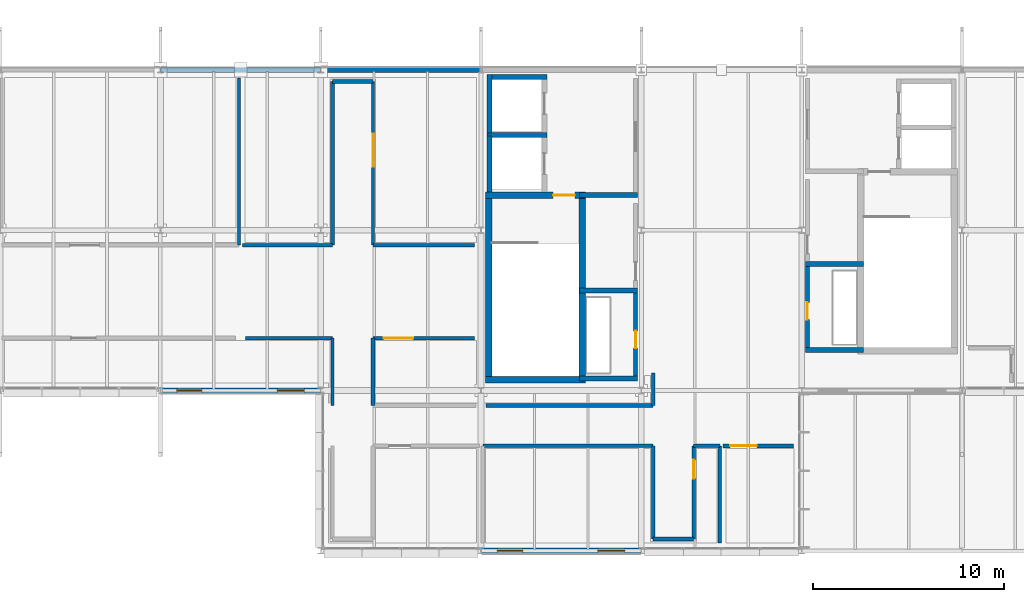
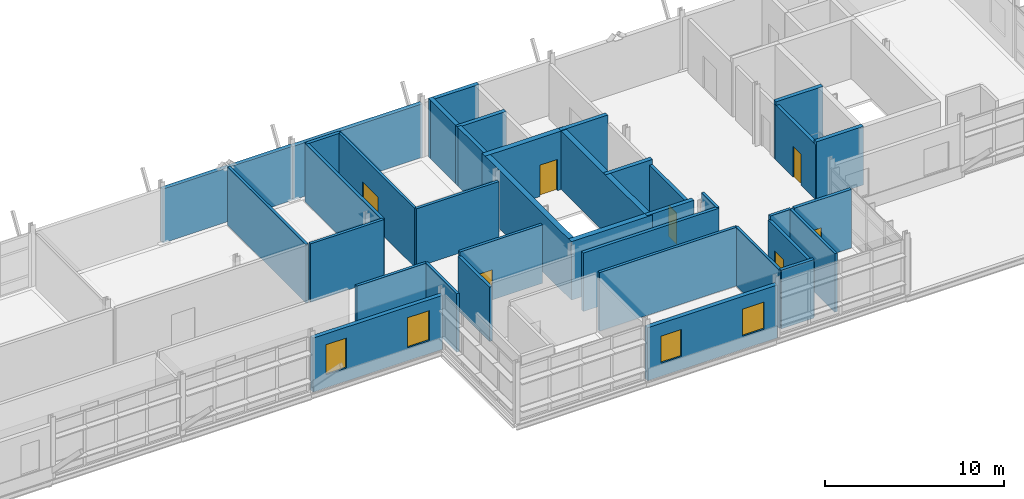
# One storey, part 31 of 35: 38 walls, 7 doors, 4 windows, 11 openings.
"""IFC4 building model written with IfcOpenShell, lengths in metres."""

from ifc_helpers import new_model, si_unit, direction, frame, frame_2d, origin, place, context, subcontext, project, spatial, rectangle, extrude, material, layer, layer_set, type_object, element, fill, save


model = new_model("IFC4")

# Units and contexts
model_context = context("Model", 3, precision=1e-05, world=origin(), true_north=direction((0.0, 1.0)))
body_context = subcontext(model_context, "Body", "Model", "MODEL_VIEW")
ifc_project = project(units=[si_unit("LENGTHUNIT", "METRE"), si_unit("AREAUNIT", "SQUARE_METRE"), si_unit("VOLUMEUNIT", "CUBIC_METRE"), si_unit("PLANEANGLEUNIT", "RADIAN"), si_unit("MASSUNIT", "GRAM", prefix="KILO")], contexts=[model_context])

# Site, building, storey
site_placement = place(None, origin())
site = spatial("IfcSite", under=ifc_project, at=site_placement, CompositionType="ELEMENT")
building_placement = place(site_placement, origin())
building = spatial("IfcBuilding", under=site, at=building_placement, Name="Mersafa Astral City Hall", CompositionType="ELEMENT")
storey_placement = place(building_placement, frame((0.0, 0.0, 30.14990234375)))
storey = spatial("IfcBuildingStorey", under=building, at=storey_placement, Name="L07", CompositionType="ELEMENT", Elevation=30.14990234375)

# Walls
ifc_material_1 = material(Name="Precast concrete C40/50 insulated terracotta spandrel", Category="masonry")
ifc_layer_1 = layer(ifc_material_1, 0.25, Name="Precast concrete C40/50 insulated terracotta spandrel")
ifc_layer_set_1 = layer_set([ifc_layer_1], Name="Precast concrete C40/50 insulated terracotta spandrel — ENV-WAL-EXT-250")
wall_type_1 = type_object("IfcWallType", Name="ENV-WAL-EXT-250", PredefinedType="STANDARD", material=ifc_layer_set_1)
wall_1_placement = place(storey_placement, frame((142.7919921875, 126.0, 0.0), z_axis=(0.0, 0.0, 1.0), x_axis=(-1.0, 0.0, 0.0)))
element("IfcWall", 1, at=wall_1_placement, inside=storey, type_object=wall_type_1, Name="L07 Limestone-clad exterior wall 394", PredefinedType="STANDARD", context=body_context, shape_type="SweptSolid", body=[
    extrude(rectangle(XDim=8.384033203125, YDim=0.25, at=frame_2d((4.19189453125, 0.0))), origin(), (0.0, 0.0, 1.0), 3.692138671875),
])
ifc_material_2 = material(Name="Precast concrete C40/50 insulated limestone wall", Category="masonry")
ifc_layer_2 = layer(ifc_material_2, 0.264892578125, Name="Precast concrete C40/50 insulated limestone wall")
ifc_layer_set_2 = layer_set([ifc_layer_2], Name="Precast concrete C40/50 insulated limestone wall — ENV-WAL-EXT-265")
wall_type_2 = type_object("IfcWallType", Name="ENV-WAL-EXT-265", PredefinedType="STANDARD", material=ifc_layer_set_2)
wall_2_placement = place(storey_placement, frame((151.19189453125, 126.0, 0.0), z_axis=(0.0, 0.0, 1.0), x_axis=(-1.0, 0.0, 0.0)))
element("IfcWall", 2, at=wall_2_placement, inside=storey, type_object=wall_type_2, Name="L07 Limestone-clad exterior wall 393", PredefinedType="STANDARD", context=body_context, shape_type="SweptSolid", body=[
    extrude(rectangle(XDim=8.3837890625, YDim=0.264892578125, at=frame_2d((4.19189453125, 0.0))), origin(), (0.0, 0.0, 1.0), 3.662109375),
])

# Wall, openings, windows
wall_3_placement = place(storey_placement, frame((134.407958984375, 109.199951171875, 0.0), z_axis=(0.0, 0.0, 1.0), x_axis=(1.0, 0.0, 0.0)))
wall_3 = element("IfcWall", 3, at=wall_3_placement, inside=storey, type_object=wall_type_2, Name="L07 Limestone-clad exterior wall 399", PredefinedType="STANDARD", context=body_context, shape_type="SweptSolid", body=[
    extrude(rectangle(XDim=8.384033203125, YDim=0.264892578125, at=frame_2d((4.19189453125, 0.0))), origin(), (0.0, 0.0, 1.0), 3.692138671875),
])
opening_1_placement = place(wall_3_placement, frame((0.85009765625, 0.0, 0.89990234375)))
opening_1 = element("IfcOpeningElement", 4, at=opening_1_placement, cuts=wall_3, Name="Opening W-54", PredefinedType="OPENING", context=body_context, shape_type="SweptSolid", body=[
    extrude(rectangle(XDim=1.320068359375, YDim=2.050048828125, at=frame_2d((0.66015625, 1.02490234375))), frame((0.0, 0.142333984375, 0.0), z_axis=(0.0, -1.0, 0.0), x_axis=(1.0, 0.0, 0.0)), (0.0, 0.0, 1.0), 0.284912109375),
])
opening_2_placement = place(wall_3_placement, frame((6.114013671875, 0.0, 0.89990234375)))
opening_2 = element("IfcOpeningElement", 5, at=opening_2_placement, cuts=wall_3, Name="Opening W-55", PredefinedType="OPENING", context=body_context, shape_type="SweptSolid", body=[
    extrude(rectangle(XDim=1.419921875, YDim=2.050048828125, at=frame_2d((0.7099609375, 1.02490234375))), frame((0.0, 0.142333984375, 0.0), z_axis=(0.0, -1.0, 0.0), x_axis=(1.0, 0.0, 0.0)), (0.0, 0.0, 1.0), 0.284912109375),
])
ifc_material_3 = material(Name="Solar control low-e double glazing in bronze frame", Category="glass")
window_type_1 = type_object("IfcWindowType", Name="ENV-WIN-W-54", PartitioningType="SINGLE_PANEL", PredefinedType="WINDOW", material=ifc_material_3)
window_1_placement = place(opening_1_placement, origin())
window_1 = element("IfcWindow", 6, at=window_1_placement, inside=storey, type_object=window_type_1, Name="L07 Solar punched window 399-L", OverallHeight=2.050048828125, OverallWidth=1.320068359375, PartitioningType="SINGLE_PANEL", PredefinedType="WINDOW", context=body_context, shape_type="SweptSolid", body=[
    extrude(rectangle(XDim=1.320068359375, YDim=2.050048828125, at=frame_2d((0.66015625, 1.02490234375))), frame((0.0, 0.030029296875, 0.0), z_axis=(0.0, -1.0, 0.0), x_axis=(1.0, 0.0, 0.0)), (0.0, 0.0, 1.0), 0.06005859375),
])
fill(opening_1, window_1)
window_type_2 = type_object("IfcWindowType", Name="ENV-WIN-W-55", PartitioningType="SINGLE_PANEL", PredefinedType="WINDOW", material=ifc_material_3)
window_2_placement = place(opening_2_placement, origin())
window_2 = element("IfcWindow", 7, at=window_2_placement, inside=storey, type_object=window_type_2, Name="L07 Solar punched window 399-R", OverallHeight=2.050048828125, OverallWidth=1.419921875, PartitioningType="SINGLE_PANEL", PredefinedType="WINDOW", context=body_context, shape_type="SweptSolid", body=[
    extrude(rectangle(XDim=1.419921875, YDim=2.050048828125, at=frame_2d((0.7099609375, 1.02490234375))), frame((0.0, 0.030029296875, 0.0), z_axis=(0.0, -1.0, 0.0), x_axis=(1.0, 0.0, 0.0)), (0.0, 0.0, 1.0), 0.06005859375),
])
fill(opening_2, window_2)

ifc_layer_3 = layer(ifc_material_2, 0.280029296875, Name="Precast concrete C40/50 insulated limestone wall")
ifc_layer_set_3 = layer_set([ifc_layer_3], Name="Precast concrete C40/50 insulated limestone wall — ENV-WAL-EXT-280")
wall_type_3 = type_object("IfcWallType", Name="ENV-WAL-EXT-280", PredefinedType="STANDARD", material=ifc_layer_set_3)
wall_4_placement = place(storey_placement, frame((151.2080078125, 100.800048828125, 0.0), z_axis=(0.0, 0.0, 1.0), x_axis=(1.0, 0.0, 0.0)))
wall_4 = element("IfcWall", 8, at=wall_4_placement, inside=storey, type_object=wall_type_3, Name="L07 Limestone-clad exterior wall 386", PredefinedType="STANDARD", context=body_context, shape_type="SweptSolid", body=[
    extrude(rectangle(XDim=8.384033203125, YDim=0.280029296875, at=frame_2d((4.19189453125, 0.0))), origin(), (0.0, 0.0, 1.0), 3.6220703125),
])
opening_3_placement = place(wall_4_placement, frame((0.85009765625, 0.0, 0.89990234375)))
opening_3 = element("IfcOpeningElement", 9, at=opening_3_placement, cuts=wall_4, Name="Opening W-44", PredefinedType="OPENING", context=body_context, shape_type="SweptSolid", body=[
    extrude(rectangle(XDim=1.320068359375, YDim=1.85009765625, at=frame_2d((0.66015625, 0.925048828125))), frame((0.0, 0.14990234375, 0.0), z_axis=(0.0, -1.0, 0.0), x_axis=(1.0, 0.0, 0.0)), (0.0, 0.0, 1.0), 0.300048828125),
])
opening_4_placement = place(wall_4_placement, frame((6.114013671875, 0.0, 0.89990234375)))
opening_4 = element("IfcOpeningElement", 10, at=opening_4_placement, cuts=wall_4, Name="Opening W-45", PredefinedType="OPENING", context=body_context, shape_type="SweptSolid", body=[
    extrude(rectangle(XDim=1.419921875, YDim=1.85009765625, at=frame_2d((0.7099609375, 0.925048828125))), frame((0.0, 0.14990234375, 0.0), z_axis=(0.0, -1.0, 0.0), x_axis=(1.0, 0.0, 0.0)), (0.0, 0.0, 1.0), 0.300048828125),
])
window_type_3 = type_object("IfcWindowType", Name="ENV-WIN-W-44", PartitioningType="SINGLE_PANEL", PredefinedType="WINDOW", material=ifc_material_3)
window_3_placement = place(opening_3_placement, origin())
window_3 = element("IfcWindow", 11, at=window_3_placement, inside=storey, type_object=window_type_3, Name="L07 Solar punched window 386-L", OverallHeight=1.85009765625, OverallWidth=1.320068359375, PartitioningType="SINGLE_PANEL", PredefinedType="WINDOW", context=body_context, shape_type="SweptSolid", body=[
    extrude(rectangle(XDim=1.320068359375, YDim=1.85009765625, at=frame_2d((0.66015625, 0.925048828125))), frame((0.0, 0.030029296875, 0.0), z_axis=(0.0, -1.0, 0.0), x_axis=(1.0, 0.0, 0.0)), (0.0, 0.0, 1.0), 0.06005859375),
])
fill(opening_3, window_3)
window_type_4 = type_object("IfcWindowType", Name="ENV-WIN-W-45", PartitioningType="SINGLE_PANEL", PredefinedType="WINDOW", material=ifc_material_3)
window_4_placement = place(opening_4_placement, origin())
window_4 = element("IfcWindow", 12, at=window_4_placement, inside=storey, type_object=window_type_4, Name="L07 Solar punched window 386-R", OverallHeight=1.85009765625, OverallWidth=1.419921875, PartitioningType="SINGLE_PANEL", PredefinedType="WINDOW", context=body_context, shape_type="SweptSolid", body=[
    extrude(rectangle(XDim=1.419921875, YDim=1.85009765625, at=frame_2d((0.7099609375, 0.925048828125))), frame((0.0, 0.030029296875, 0.0), z_axis=(0.0, -1.0, 0.0), x_axis=(1.0, 0.0, 0.0)), (0.0, 0.0, 1.0), 0.06005859375),
])
fill(opening_4, window_4)

# Walls
ifc_material_4 = material(Name="Concrete C40/50", Category="concrete")
ifc_layer_4 = layer(ifc_material_4, 0.260009765625, Name="Concrete C40/50")
ifc_layer_set_4 = layer_set([ifc_layer_4], Name="Concrete C40/50 — INT-WAL-CORE-260")
wall_type_4 = type_object("IfcWallType", Name="INT-WAL-CORE-260", PredefinedType="SHEAR", material=ifc_layer_set_4)
wall_5_placement = place(storey_placement, frame((151.514892578125, 122.5849609375, 0.0), z_axis=(0.0, 0.0, 1.0), x_axis=(1.0, 0.0, 0.0)))
element("IfcWall", 13, at=wall_5_placement, inside=storey, type_object=wall_type_4, Name="L07 Lift LF1 north shaft wall", PredefinedType="SHEAR", context=body_context, shape_type="SweptSolid", body=[
    extrude(rectangle(XDim=3.130126953125, YDim=0.260009765625, at=frame_2d((1.56494140625, 0.0))), origin(), (0.0, 0.0, 1.0), 4.0),
])
wall_6_placement = place(storey_placement, frame((151.64501953125, 119.596923828125, 0.0), z_axis=(0.0, 0.0, 1.0), x_axis=(0.0, 1.0, 0.0)))
element("IfcWall", 14, at=wall_6_placement, inside=storey, type_object=wall_type_4, Name="L07 Lift LF1 back shaft wall", PredefinedType="SHEAR", context=body_context, shape_type="SweptSolid", body=[
    extrude(rectangle(XDim=2.947998046875, YDim=0.260009765625, at=frame_2d((1.47412109375, 0.0))), origin(), (0.0, 0.0, 1.0), 4.0),
])
wall_7_placement = place(storey_placement, frame((151.514892578125, 125.635009765625, 0.0), z_axis=(0.0, 0.0, 1.0), x_axis=(1.0, 0.0, 0.0)))
element("IfcWall", 15, at=wall_7_placement, inside=storey, type_object=wall_type_4, Name="L07 Lift LF3 north shaft wall", PredefinedType="SHEAR", context=body_context, shape_type="SweptSolid", body=[
    extrude(rectangle(XDim=3.130126953125, YDim=0.260009765625, at=frame_2d((1.56494140625, 0.0))), origin(), (0.0, 0.0, 1.0), 4.0),
])
wall_8_placement = place(storey_placement, frame((151.64501953125, 122.705078125, 0.0), z_axis=(0.0, 0.0, 1.0), x_axis=(0.0, 1.0, 0.0)))
element("IfcWall", 16, at=wall_8_placement, inside=storey, type_object=wall_type_4, Name="L07 Lift LF3 back shaft wall", PredefinedType="SHEAR", context=body_context, shape_type="SweptSolid", body=[
    extrude(rectangle(XDim=3.059814453125, YDim=0.260009765625, at=frame_2d((1.52978515625, 0.0))), origin(), (0.0, 0.0, 1.0), 4.0),
])
for number, where, z_axis, x_axis, name in (
    (17, (156.364990234375, 109.820068359375, 0.0), (0.0, 0.0, 1.0), (1.0, 0.0, 0.0), "L07 Core K1 riser south wall"),
    (18, (156.364990234375, 114.43505859375, 0.0), (0.0, 0.0, 1.0), (1.0, 0.0, 0.0), "L07 Core K1 riser-restroom divider wall"),
    (19, (156.364990234375, 119.43505859375, 0.0), (0.0, 0.0, 1.0), (1.0, 0.0, 0.0), "L07 Core K1 restroom-lobby divider wall"),
):
    element("IfcWall", number, at=place(storey_placement, frame(where, z_axis=z_axis, x_axis=x_axis)), inside=storey, type_object=wall_type_4, Name=name, PredefinedType="SHEAR", context=body_context, shape_type="SweptSolid", body=[
        extrude(rectangle(XDim=3.034912109375, YDim=0.260009765625, at=frame_2d((1.517578125, 0.0))), origin(), (0.0, 0.0, 1.0), 4.0),
    ])
for number, where, z_axis, x_axis, name in (
    (20, (168.199951171875, 111.320068359375, 0.0), (0.0, 0.0, 1.0), (1.0, 0.0, 0.0), "L07 Core K2 riser south wall"),
    (21, (168.199951171875, 115.8349609375, 0.0), (0.0, 0.0, 1.0), (1.0, 0.0, 0.0), "L07 Core K2 riser-restroom divider wall"),
):
    element("IfcWall", number, at=place(storey_placement, frame(where, z_axis=z_axis, x_axis=x_axis)), inside=storey, type_object=wall_type_4, Name=name, PredefinedType="SHEAR", context=body_context, shape_type="SweptSolid", body=[
        extrude(rectangle(XDim=3.03515625, YDim=0.260009765625, at=frame_2d((1.517578125, 0.0))), origin(), (0.0, 0.0, 1.0), 4.0),
    ])
ifc_layer_5 = layer(ifc_material_4, 0.340087890625, Name="Concrete C40/50")
ifc_layer_set_5 = layer_set([ifc_layer_5], Name="Concrete C40/50 — INT-WAL-CORE-340")
wall_type_5 = type_object("IfcWallType", Name="INT-WAL-CORE-340", PredefinedType="SHEAR", material=ifc_layer_set_5)
for number, where, z_axis, x_axis, name in (
    (22, (151.60498046875, 109.60498046875, 0.0), (0.0, 0.0, 1.0), (0.0, 1.0, 0.0), "L07 Core K1 stair west shear wall"),
    (23, (156.514892578125, 109.60498046875, 0.0), (0.0, 0.0, 1.0), (0.0, 1.0, 0.0), "L07 Core K1 stair east shear wall"),
):
    element("IfcWall", number, at=place(storey_placement, frame(where, z_axis=z_axis, x_axis=x_axis)), inside=storey, type_object=wall_type_5, Name=name, PredefinedType="SHEAR", context=body_context, shape_type="SweptSolid", body=[
        extrude(rectangle(XDim=9.989990234375, YDim=0.340087890625, at=frame_2d((4.9951171875, 0.0))), origin(), (0.0, 0.0, 1.0), 4.0),
    ])
wall_9_placement = place(storey_placement, frame((151.43505859375, 109.77490234375, 0.0), z_axis=(0.0, 0.0, 1.0), x_axis=(1.0, 0.0, 0.0)))
element("IfcWall", 24, at=wall_9_placement, inside=storey, type_object=wall_type_5, Name="L07 Core K1 stair south shear wall", PredefinedType="SHEAR", context=body_context, shape_type="SweptSolid", body=[
    extrude(rectangle(XDim=5.25, YDim=0.340087890625, at=frame_2d((2.625, 0.0))), origin(), (0.0, 0.0, 1.0), 4.0),
])

# Wall, opening, door
wall_10_placement = place(storey_placement, frame((151.43505859375, 119.425048828125, 0.0), z_axis=(0.0, 0.0, 1.0), x_axis=(1.0, 0.0, 0.0)))
wall_10 = element("IfcWall", 25, at=wall_10_placement, inside=storey, type_object=wall_type_5, Name="L07 Core K1 stair-lobby fire wall", PredefinedType="SHEAR", context=body_context, shape_type="SweptSolid", body=[
    extrude(rectangle(XDim=5.25, YDim=0.340087890625, at=frame_2d((2.625, 0.0))), origin(), (0.0, 0.0, 1.0), 4.0),
])
opening_5_placement = place(wall_10_placement, frame((3.534912109375, 0.0, 0.0)))
opening_5 = element("IfcOpeningElement", 26, at=opening_5_placement, cuts=wall_10, Name="Opening CD-1", PredefinedType="OPENING", context=body_context, shape_type="SweptSolid", body=[
    extrude(rectangle(XDim=1.14990234375, YDim=2.14990234375, at=frame_2d((0.574951171875, 1.074951171875))), frame((0.0, 0.179931640625, 0.0), z_axis=(0.0, -1.0, 0.0), x_axis=(1.0, 0.0, 0.0)), (0.0, 0.0, 1.0), 0.360107421875),
])
ifc_material_5 = material(Name="Fire-rated steel stair door", Category="steel")
door_type_1 = type_object("IfcDoorType", Name="INT-DR-STAIR-FD90-1150", OperationType="NOTDEFINED", PredefinedType="DOOR", material=ifc_material_5)
door_1_placement = place(opening_5_placement, origin())
door_1 = element("IfcDoor", 27, at=door_1_placement, inside=storey, type_object=door_type_1, Name="L07 Protected Stair ST1 Door", OperationType="SINGLE_SWING_LEFT", OverallHeight=2.14990234375, OverallWidth=1.14990234375, PredefinedType="DOOR", context=body_context, shape_type="SweptSolid", body=[
    extrude(rectangle(XDim=1.14990234375, YDim=2.14990234375, at=frame_2d((0.574951171875, 1.074951171875))), frame((0.0, 0.02490234375, 0.0), z_axis=(0.0, -1.0, 0.0), x_axis=(1.0, 0.0, 0.0)), (0.0, 0.0, 1.0), 0.050048828125),
])
fill(opening_5, door_1)

# Wall
ifc_material_6 = material(Name="Fire-rated gypsum stud partition", Category="gypsum")
ifc_layer_6 = layer(ifc_material_6, 0.1650390625, Name="Fire-rated gypsum stud partition")
ifc_layer_set_6 = layer_set([ifc_layer_6], Name="Fire-rated gypsum stud partition — INT-WAL-PART-EI60-165")
wall_type_6 = type_object("IfcWallType", Name="INT-WAL-PART-EI60-165", PredefinedType="STANDARD", material=ifc_layer_set_6)
wall_11_placement = place(storey_placement, frame((138.510009765625, 125.580078125, -0.00390625), z_axis=(0.0, 0.0, 1.0), x_axis=(0.0, -1.0, 0.0)))
element("IfcWall", 28, at=wall_11_placement, inside=storey, type_object=wall_type_6, Name="L07 Interior partition wall 867", PredefinedType="STANDARD", context=body_context, shape_type="SweptSolid", body=[
    extrude(rectangle(XDim=8.760009765625, YDim=0.1650390625, at=frame_2d((4.3798828125, 0.0))), origin(), (0.0, 0.0, 1.0), 4.00390625),
])

# Wall, opening, door
wall_12_placement = place(storey_placement, frame((145.5400390625, 116.820068359375, -0.00390625), z_axis=(0.0, 0.0, 1.0), x_axis=(0.0, 1.0, 0.0)))
wall_12 = element("IfcWall", 29, at=wall_12_placement, inside=storey, type_object=wall_type_6, Name="L07 Interior partition wall 871", PredefinedType="STANDARD", context=body_context, shape_type="SweptSolid", body=[
    extrude(rectangle(XDim=8.559814453125, YDim=0.1650390625, at=frame_2d((4.27978515625, 0.0))), origin(), (0.0, 0.0, 1.0), 4.00390625),
])
opening_6_placement = place(wall_12_placement, frame((4.104736328125, 0.0, 0.0)))
opening_6 = element("IfcOpeningElement", 30, at=opening_6_placement, cuts=wall_12, Name="Opening D-36", PredefinedType="OPENING", context=body_context, shape_type="SweptSolid", body=[
    extrude(rectangle(XDim=1.719970703125, YDim=2.300048828125, at=frame_2d((0.85986328125, 1.14990234375))), frame((0.0, 0.092529296875, 0.0), z_axis=(0.0, -1.0, 0.0), x_axis=(1.0, 0.0, 0.0)), (0.0, 0.0, 1.0), 0.18505859375),
])
ifc_material_7 = material(Name="Cedar veneered acoustic fire-rated timber door", Category="wood")
door_type_2 = type_object("IfcDoorType", Name="INT-DR-RM-D-36", OperationType="NOTDEFINED", PredefinedType="DOOR", material=ifc_material_7)
door_2_placement = place(opening_6_placement, origin())
door_2 = element("IfcDoor", 31, at=door_2_placement, inside=storey, type_object=door_type_2, Name="L07 Civic Broadcast & Briefing Studio L07-03 Entrance Door", OperationType="SINGLE_SWING_RIGHT", OverallHeight=2.300048828125, OverallWidth=1.719970703125, PredefinedType="DOOR", context=body_context, shape_type="SweptSolid", body=[
    extrude(rectangle(XDim=1.719970703125, YDim=2.300048828125, at=frame_2d((0.85986328125, 1.14990234375))), frame((0.0, 0.02490234375, 0.0), z_axis=(0.0, -1.0, 0.0), x_axis=(1.0, 0.0, 0.0)), (0.0, 0.0, 1.0), 0.050048828125),
])
fill(opening_6, door_2)

# Walls
wall_13_placement = place(storey_placement, frame((160.219970703125, 106.300048828125, -0.00390625), z_axis=(0.0, 0.0, 1.0), x_axis=(0.0, -1.0, 0.0)))
element("IfcWall", 32, at=wall_13_placement, inside=storey, type_object=wall_type_6, Name="L07 Interior partition wall 883", PredefinedType="STANDARD", context=body_context, shape_type="SweptSolid", body=[
    extrude(rectangle(XDim=4.880126953125, YDim=0.1650390625, at=frame_2d((2.43994140625, 0.0))), origin(), (0.0, 0.0, 1.0), 4.00390625),
])
wall_14_placement = place(storey_placement, frame((163.7099609375, 106.300048828125, -0.00390625), z_axis=(0.0, 0.0, 1.0), x_axis=(0.0, -1.0, 0.0)))
element("IfcWall", 33, at=wall_14_placement, inside=storey, type_object=wall_type_6, Name="L07 Interior partition wall 887", PredefinedType="STANDARD", context=body_context, shape_type="SweptSolid", body=[
    extrude(rectangle(XDim=5.080078125, YDim=0.1650390625, at=frame_2d((2.5400390625, 0.0))), origin(), (0.0, 0.0, 1.0), 4.00390625),
])
wall_15_placement = place(storey_placement, frame((143.419921875, 111.949951171875, -0.00390625), z_axis=(0.0, 0.0, 1.0), x_axis=(0.0, -1.0, 0.0)))
element("IfcWall", 34, at=wall_15_placement, inside=storey, type_object=wall_type_6, Name="L07 Interior partition wall 903", PredefinedType="STANDARD", context=body_context, shape_type="SweptSolid", body=[
    extrude(rectangle(XDim=3.530029296875, YDim=0.1650390625, at=frame_2d((1.76513671875, 0.0))), origin(), (0.0, 0.0, 1.0), 4.00390625),
])
wall_16_placement = place(storey_placement, frame((160.219970703125, 110.1201171875, -0.00390625), z_axis=(0.0, 0.0, 1.0), x_axis=(0.0, -1.0, 0.0)))
element("IfcWall", 35, at=wall_16_placement, inside=storey, type_object=wall_type_6, Name="L07 Interior partition wall 907", PredefinedType="STANDARD", context=body_context, shape_type="SweptSolid", body=[
    extrude(rectangle(XDim=1.7001953125, YDim=0.1650390625, at=frame_2d((0.85009765625, 0.0))), origin(), (0.0, 0.0, 1.0), 4.00390625),
])
ifc_material_8 = material(Name="Acoustic twin-stud gypsum partition", Category="gypsum")
ifc_layer_7 = layer(ifc_material_8, 0.179931640625, Name="Acoustic twin-stud gypsum partition")
ifc_layer_set_7 = layer_set([ifc_layer_7], Name="Acoustic twin-stud gypsum partition — INT-WAL-PART-EI60-180")
wall_type_7 = type_object("IfcWallType", Name="INT-WAL-PART-EI60-180", PredefinedType="STANDARD", material=ifc_layer_set_7)
wall_17_placement = place(storey_placement, frame((150.860107421875, 116.820068359375, -0.00390625), z_axis=(0.0, 0.0, 1.0), x_axis=(-1.0, 0.0, 0.0)))
element("IfcWall", 36, at=wall_17_placement, inside=storey, type_object=wall_type_7, Name="L07 Interior partition wall 870", PredefinedType="STANDARD", context=body_context, shape_type="SweptSolid", body=[
    extrude(rectangle(XDim=5.320068359375, YDim=0.179931640625, at=frame_2d((2.66015625, 0.0))), origin(), (0.0, 0.0, 1.0), 4.00390625),
])
wall_18_placement = place(storey_placement, frame((143.419921875, 116.820068359375, -0.00390625), z_axis=(0.0, 0.0, 1.0), x_axis=(-1.0, 0.0, 0.0)))
element("IfcWall", 37, at=wall_18_placement, inside=storey, type_object=wall_type_7, Name="L07 Interior partition wall 874", PredefinedType="STANDARD", context=body_context, shape_type="SweptSolid", body=[
    extrude(rectangle(XDim=4.72998046875, YDim=0.179931640625, at=frame_2d((2.364990234375, 0.0))), origin(), (0.0, 0.0, 1.0), 4.00390625),
])
wall_19_placement = place(storey_placement, frame((151.2900390625, 106.300048828125, -0.00390625), z_axis=(0.0, 0.0, 1.0), x_axis=(1.0, 0.0, 0.0)))
element("IfcWall", 38, at=wall_19_placement, inside=storey, type_object=wall_type_7, Name="L07 Interior partition wall 882", PredefinedType="STANDARD", context=body_context, shape_type="SweptSolid", body=[
    extrude(rectangle(XDim=8.929931640625, YDim=0.179931640625, at=frame_2d((4.46484375, 0.0))), origin(), (0.0, 0.0, 1.0), 4.00390625),
])
wall_20_placement = place(storey_placement, frame((162.340087890625, 106.300048828125, -0.00390625), z_axis=(0.0, 0.0, 1.0), x_axis=(1.0, 0.0, 0.0)))
element("IfcWall", 39, at=wall_20_placement, inside=storey, type_object=wall_type_7, Name="L07 Interior partition wall 886", PredefinedType="STANDARD", context=body_context, shape_type="SweptSolid", body=[
    extrude(rectangle(XDim=1.369873046875, YDim=0.179931640625, at=frame_2d((0.68505859375, 0.0))), origin(), (0.0, 0.0, 1.0), 4.00390625),
])
wall_21_placement = place(storey_placement, frame((138.860107421875, 111.949951171875, -0.00390625), z_axis=(0.0, 0.0, 1.0), x_axis=(1.0, 0.0, 0.0)))
element("IfcWall", 40, at=wall_21_placement, inside=storey, type_object=wall_type_7, Name="L07 Interior partition wall 902", PredefinedType="STANDARD", context=body_context, shape_type="SweptSolid", body=[
    extrude(rectangle(XDim=4.559814453125, YDim=0.179931640625, at=frame_2d((2.27978515625, 0.0))), origin(), (0.0, 0.0, 1.0), 4.00390625),
])

# Wall, opening, door
wall_22_placement = place(storey_placement, frame((145.5400390625, 111.949951171875, -0.00390625), z_axis=(0.0, 0.0, 1.0), x_axis=(1.0, 0.0, 0.0)))
wall_22 = element("IfcWall", 41, at=wall_22_placement, inside=storey, type_object=wall_type_7, Name="L07 Interior partition wall 906", PredefinedType="STANDARD", context=body_context, shape_type="SweptSolid", body=[
    extrude(rectangle(XDim=5.320068359375, YDim=0.179931640625, at=frame_2d((2.66015625, 0.0))), origin(), (0.0, 0.0, 1.0), 4.00390625),
])
opening_7_placement = place(wall_22_placement, frame((0.56005859375, 0.0, 0.0)))
opening_7 = element("IfcOpeningElement", 42, at=opening_7_placement, cuts=wall_22, Name="Opening D-08", PredefinedType="OPENING", context=body_context, shape_type="SweptSolid", body=[
    extrude(rectangle(XDim=1.5400390625, YDim=2.06005859375, at=frame_2d((0.77001953125, 1.030029296875))), frame((0.0, 0.099853515625, 0.0), z_axis=(0.0, -1.0, 0.0), x_axis=(1.0, 0.0, 0.0)), (0.0, 0.0, 1.0), 0.199951171875),
])
door_type_3 = type_object("IfcDoorType", Name="INT-DR-RM-D-08", OperationType="NOTDEFINED", PredefinedType="DOOR", material=ifc_material_7)
door_3_placement = place(opening_7_placement, origin())
door_3 = element("IfcDoor", 43, at=door_3_placement, inside=storey, type_object=door_type_3, Name="L07 Mayoral Constitutional Library L07-11 Entrance Door", OperationType="SINGLE_SWING_RIGHT", OverallHeight=2.06005859375, OverallWidth=1.5400390625, PredefinedType="DOOR", context=body_context, shape_type="SweptSolid", body=[
    extrude(rectangle(XDim=1.5400390625, YDim=2.06005859375, at=frame_2d((0.77001953125, 1.030029296875))), frame((0.0, 0.02490234375, 0.0), z_axis=(0.0, -1.0, 0.0), x_axis=(1.0, 0.0, 0.0)), (0.0, 0.0, 1.0), 0.050048828125),
])
fill(opening_7, door_3)

# Wall
ifc_layer_8 = layer(ifc_material_8, 0.195068359375, Name="Acoustic twin-stud gypsum partition")
ifc_layer_set_8 = layer_set([ifc_layer_8], Name="Acoustic twin-stud gypsum partition — INT-WAL-PART-EI60-195")
wall_type_8 = type_object("IfcWallType", Name="INT-WAL-PART-EI60-195", PredefinedType="STANDARD", material=ifc_layer_set_8)
wall_23_placement = place(storey_placement, frame((143.419921875, 125.3798828125, -0.00390625), z_axis=(0.0, 0.0, 1.0), x_axis=(0.0, -1.0, 0.0)))
element("IfcWall", 44, at=wall_23_placement, inside=storey, type_object=wall_type_8, Name="L07 Interior partition wall 873", PredefinedType="STANDARD", context=body_context, shape_type="SweptSolid", body=[
    extrude(rectangle(XDim=8.559814453125, YDim=0.195068359375, at=frame_2d((4.27978515625, 0.0))), origin(), (0.0, 0.0, 1.0), 4.00390625),
])

# Wall, opening, door
wall_24_placement = place(storey_placement, frame((162.340087890625, 101.419921875, -0.00390625), z_axis=(0.0, 0.0, 1.0), x_axis=(0.0, 1.0, 0.0)))
wall_24 = element("IfcWall", 45, at=wall_24_placement, inside=storey, type_object=wall_type_8, Name="L07 Interior partition wall 885", PredefinedType="STANDARD", context=body_context, shape_type="SweptSolid", body=[
    extrude(rectangle(XDim=4.880126953125, YDim=0.195068359375, at=frame_2d((2.43994140625, 0.0))), origin(), (0.0, 0.0, 1.0), 3.716064453125),
])
opening_8_placement = place(wall_24_placement, frame((3.169921875, 0.0, 0.0)))
opening_8 = element("IfcOpeningElement", 46, at=opening_8_placement, cuts=wall_24, Name="Opening D-02", PredefinedType="OPENING", context=body_context, shape_type="SweptSolid", body=[
    extrude(rectangle(XDim=0.97998046875, YDim=2.06005859375, at=frame_2d((0.489990234375, 1.030029296875))), frame((0.0, 0.107421875, 0.0), z_axis=(0.0, -1.0, 0.0), x_axis=(1.0, 0.0, 0.0)), (0.0, 0.0, 1.0), 0.215087890625),
])
door_type_4 = type_object("IfcDoorType", Name="INT-DR-RM-D-02", OperationType="NOTDEFINED", PredefinedType="DOOR", material=ifc_material_7)
door_4_placement = place(opening_8_placement, origin())
door_4 = element("IfcDoor", 47, at=door_4_placement, inside=storey, type_object=door_type_4, Name="L07 Upper Telemetry & Weather Salon L07-05 Entrance Door", OperationType="SINGLE_SWING_RIGHT", OverallHeight=2.06005859375, OverallWidth=0.97998046875, PredefinedType="DOOR", context=body_context, shape_type="SweptSolid", body=[
    extrude(rectangle(XDim=0.97998046875, YDim=2.06005859375, at=frame_2d((0.489990234375, 1.030029296875))), frame((0.0, 0.02490234375, 0.0), z_axis=(0.0, -1.0, 0.0), x_axis=(1.0, 0.0, 0.0)), (0.0, 0.0, 1.0), 0.050048828125),
])
fill(opening_8, door_4)

# Wall
wall_25_placement = place(storey_placement, frame((145.5400390625, 108.419921875, -0.00390625), z_axis=(0.0, 0.0, 1.0), x_axis=(0.0, 1.0, 0.0)))
element("IfcWall", 48, at=wall_25_placement, inside=storey, type_object=wall_type_8, Name="L07 Interior partition wall 905", PredefinedType="STANDARD", context=body_context, shape_type="SweptSolid", body=[
    extrude(rectangle(XDim=3.530029296875, YDim=0.195068359375, at=frame_2d((1.76513671875, 0.0))), origin(), (0.0, 0.0, 1.0), 3.716064453125),
])

# Wall, opening, door
ifc_material_9 = material(Name="Autoclaved aerated concrete blockwork plastered", Category="masonry")
ifc_layer_9 = layer(ifc_material_9, 0.2099609375, Name="Autoclaved aerated concrete blockwork plastered")
ifc_layer_set_9 = layer_set([ifc_layer_9], Name="Autoclaved aerated concrete blockwork plastered — INT-WAL-PART-EI60-210")
wall_type_9 = type_object("IfcWallType", Name="INT-WAL-PART-EI60-210", PredefinedType="STANDARD", material=ifc_layer_set_9)
wall_26_placement = place(storey_placement, frame((159.300048828125, 109.820068359375, 0.0), z_axis=(0.0, 0.0, 1.0), x_axis=(0.0, 1.0, 0.0)))
wall_26 = element("IfcWall", 49, at=wall_26_placement, inside=storey, type_object=wall_type_9, Name="L07 Core K1 riser corridor partition", PredefinedType="STANDARD", context=body_context, shape_type="SweptSolid", body=[
    extrude(rectangle(XDim=4.58984375, YDim=0.2099609375, at=frame_2d((2.294921875, 0.0))), origin(), (0.0, 0.0, 1.0), 3.662109375),
])
opening_9_placement = place(wall_26_placement, frame((1.60009765625, 0.0, 0.0)))
opening_9 = element("IfcOpeningElement", 50, at=opening_9_placement, cuts=wall_26, Name="Opening CD-5", PredefinedType="OPENING", context=body_context, shape_type="SweptSolid", body=[
    extrude(rectangle(XDim=0.89990234375, YDim=2.10009765625, at=frame_2d((0.449951171875, 1.050048828125))), frame((0.0, 0.114990234375, 0.0), z_axis=(0.0, -1.0, 0.0), x_axis=(1.0, 0.0, 0.0)), (0.0, 0.0, 1.0), 0.22998046875),
])
ifc_material_10 = material(Name="Fire-rated steel riser access door", Category="steel")
door_type_5 = type_object("IfcDoorType", Name="INT-DR-RISER-FD60-900", OperationType="NOTDEFINED", PredefinedType="DOOR", material=ifc_material_10)
door_5_placement = place(opening_9_placement, origin())
door_5 = element("IfcDoor", 51, at=door_5_placement, inside=storey, type_object=door_type_5, Name="L07 K1 MEP Riser Access Door", OperationType="SINGLE_SWING_RIGHT", OverallHeight=2.10009765625, OverallWidth=0.89990234375, PredefinedType="DOOR", context=body_context, shape_type="SweptSolid", body=[
    extrude(rectangle(XDim=0.89990234375, YDim=2.10009765625, at=frame_2d((0.449951171875, 1.050048828125))), frame((0.0, 0.02490234375, 0.0), z_axis=(0.0, -1.0, 0.0), x_axis=(1.0, 0.0, 0.0)), (0.0, 0.0, 1.0), 0.050048828125),
])
fill(opening_9, door_5)

wall_27_placement = place(storey_placement, frame((168.300048828125, 111.320068359375, 0.0), z_axis=(0.0, 0.0, 1.0), x_axis=(0.0, 1.0, 0.0)))
wall_27 = element("IfcWall", 52, at=wall_27_placement, inside=storey, type_object=wall_type_9, Name="L07 Core K2 riser corridor partition", PredefinedType="STANDARD", context=body_context, shape_type="SweptSolid", body=[
    extrude(rectangle(XDim=4.489990234375, YDim=0.2099609375, at=frame_2d((2.2451171875, 0.0))), origin(), (0.0, 0.0, 1.0), 3.752197265625),
])
opening_10_placement = place(wall_27_placement, frame((1.60009765625, 0.0, 0.0)))
opening_10 = element("IfcOpeningElement", 53, at=opening_10_placement, cuts=wall_27, Name="Opening CD-5", PredefinedType="OPENING", context=body_context, shape_type="SweptSolid", body=[
    extrude(rectangle(XDim=0.89990234375, YDim=2.10009765625, at=frame_2d((0.449951171875, 1.050048828125))), frame((0.0, 0.114990234375, 0.0), z_axis=(0.0, -1.0, 0.0), x_axis=(1.0, 0.0, 0.0)), (0.0, 0.0, 1.0), 0.22998046875),
])
door_6_placement = place(opening_10_placement, origin())
door_6 = element("IfcDoor", 54, at=door_6_placement, inside=storey, type_object=door_type_5, Name="L07 K2 MEP Riser Access Door", OperationType="SINGLE_SWING_LEFT", OverallHeight=2.10009765625, OverallWidth=0.89990234375, PredefinedType="DOOR", context=body_context, shape_type="SweptSolid", body=[
    extrude(rectangle(XDim=0.89990234375, YDim=2.10009765625, at=frame_2d((0.449951171875, 1.050048828125))), frame((0.0, 0.02490234375, 0.0), z_axis=(0.0, -1.0, 0.0), x_axis=(1.0, 0.0, 0.0)), (0.0, 0.0, 1.0), 0.050048828125),
])
fill(opening_10, door_6)

# Walls
for number, where, z_axis, x_axis, name in (
    (55, (145.5400390625, 125.3798828125, -0.00390625), (0.0, 0.0, 1.0), (-1.0, 0.0, 0.0), "L07 Interior partition wall 872"),
    (56, (160.219970703125, 101.419921875, -0.00390625), (0.0, 0.0, 1.0), (1.0, 0.0, 0.0), "L07 Interior partition wall 884"),
):
    element("IfcWall", number, at=place(storey_placement, frame(where, z_axis=z_axis, x_axis=x_axis)), inside=storey, type_object=wall_type_9, Name=name, PredefinedType="STANDARD", context=body_context, shape_type="SweptSolid", body=[
        extrude(rectangle(XDim=2.1201171875, YDim=0.2099609375, at=frame_2d((1.06005859375, 0.0))), origin(), (0.0, 0.0, 1.0), 4.00390625),
    ])

# Wall, opening, door
wall_28_placement = place(storey_placement, frame((163.889892578125, 106.300048828125, -0.00390625), z_axis=(0.0, 0.0, 1.0), x_axis=(1.0, 0.0, 0.0)))
wall_28 = element("IfcWall", 57, at=wall_28_placement, inside=storey, type_object=wall_type_9, Name="L07 Interior partition wall 904", PredefinedType="STANDARD", context=body_context, shape_type="SweptSolid", body=[
    extrude(rectangle(XDim=3.690185546875, YDim=0.2099609375, at=frame_2d((1.84521484375, 0.0))), origin(), (0.0, 0.0, 1.0), 4.00390625),
])
opening_11_placement = place(wall_28_placement, frame((0.360107421875, 0.0, 0.0)))
opening_11 = element("IfcOpeningElement", 58, at=opening_11_placement, cuts=wall_28, Name="Opening D-07", PredefinedType="OPENING", context=body_context, shape_type="SweptSolid", body=[
    extrude(rectangle(XDim=1.39990234375, YDim=2.06005859375, at=frame_2d((0.699951171875, 1.030029296875))), frame((0.0, 0.114990234375, 0.0), z_axis=(0.0, -1.0, 0.0), x_axis=(1.0, 0.0, 0.0)), (0.0, 0.0, 1.0), 0.22998046875),
])
door_type_6 = type_object("IfcDoorType", Name="INT-DR-RM-D-07", OperationType="NOTDEFINED", PredefinedType="DOOR", material=ifc_material_7)
door_7_placement = place(opening_11_placement, origin())
door_7 = element("IfcDoor", 59, at=door_7_placement, inside=storey, type_object=door_type_6, Name="L07 Civic Broadcast & Briefing Studio L07-10 Entrance Door", OperationType="SINGLE_SWING_LEFT", OverallHeight=2.06005859375, OverallWidth=1.39990234375, PredefinedType="DOOR", context=body_context, shape_type="SweptSolid", body=[
    extrude(rectangle(XDim=1.39990234375, YDim=2.06005859375, at=frame_2d((0.699951171875, 1.030029296875))), frame((0.0, 0.02490234375, 0.0), z_axis=(0.0, -1.0, 0.0), x_axis=(1.0, 0.0, 0.0)), (0.0, 0.0, 1.0), 0.050048828125),
])
fill(opening_11, door_7)

# Wall
wall_29_placement = place(storey_placement, frame((160.219970703125, 108.419921875, -0.00390625), z_axis=(0.0, 0.0, 1.0), x_axis=(-1.0, 0.0, 0.0)))
element("IfcWall", 60, at=wall_29_placement, inside=storey, type_object=wall_type_9, Name="L07 Interior partition wall 908", PredefinedType="STANDARD", context=body_context, shape_type="SweptSolid", body=[
    extrude(rectangle(XDim=8.760009765625, YDim=0.2099609375, at=frame_2d((4.3798828125, 0.0))), origin(), (0.0, 0.0, 1.0), 4.00390625),
])

save(model, "model.ifc")
